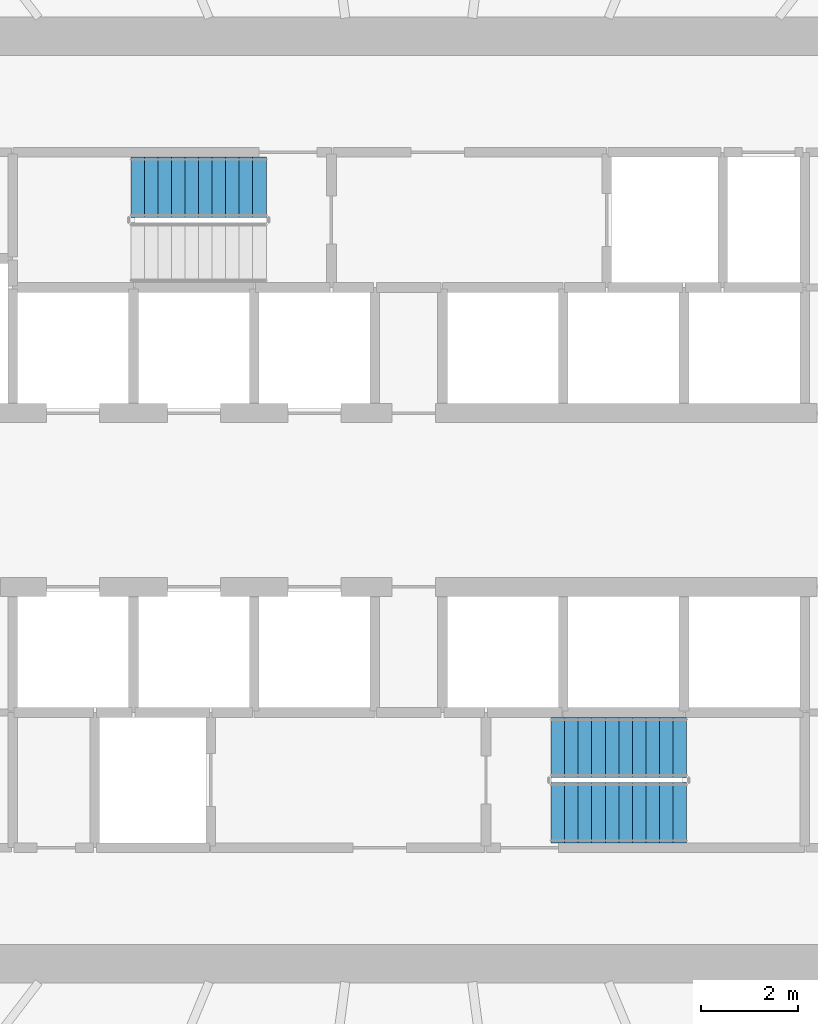
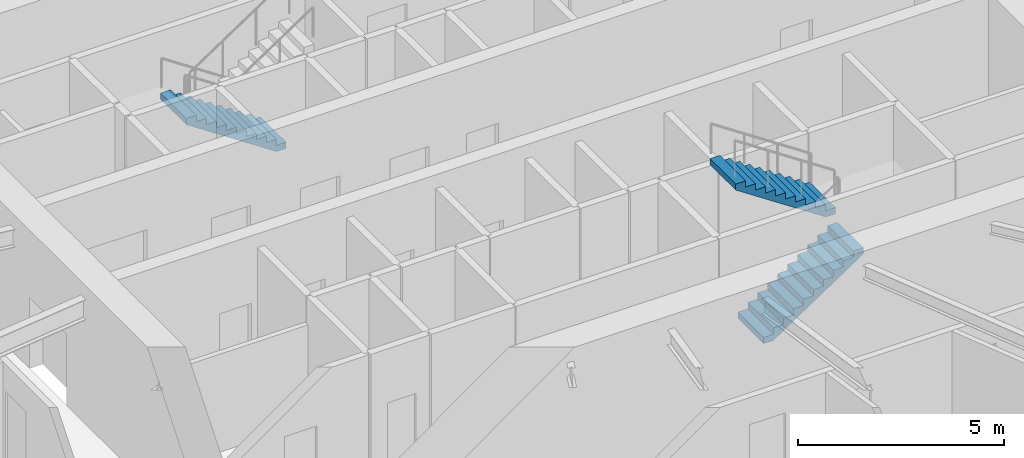
# One storey, part 14 of 17: 3 stair flights, 2 elements without a shape of their own.
"""IFC4 building model written with IfcOpenShell, lengths in metres."""

from ifc_helpers import new_model, si_unit, direction, frame, origin, place, context, subcontext, project, spatial, line, indexed_curve, outline, extrude, material, type_object, element, aggregate, save


model = new_model("IFC4")

# Units and contexts
model_context = context("Model", 3, precision=1e-05, world=origin(), true_north=direction((0.0, 1.0)))
body_context = subcontext(model_context, "Body", "Model", "MODEL_VIEW")
ifc_project = project(units=[si_unit("LENGTHUNIT", "METRE"), si_unit("AREAUNIT", "SQUARE_METRE"), si_unit("VOLUMEUNIT", "CUBIC_METRE"), si_unit("PLANEANGLEUNIT", "RADIAN"), si_unit("MASSUNIT", "GRAM", prefix="KILO")], contexts=[model_context])

# Site, building, storey
site_placement = place(None, origin())
site = spatial("IfcSite", under=ifc_project, at=site_placement, CompositionType="ELEMENT")
building_placement = place(site_placement, origin())
building = spatial("IfcBuilding", under=site, at=building_placement, Name="Spindrift Exchange Tower", CompositionType="ELEMENT")
storey_placement = place(building_placement, frame((0.0, 0.0, 104.39990234375)))
storey = spatial("IfcBuildingStorey", under=building, at=storey_placement, Name="L24", CompositionType="ELEMENT", Elevation=104.39990234375)

# Stair, stair flight
ifc_material = material(Name="Concrete 50 MPa", Category="concrete")
stair_type = type_object("IfcStairType", Name="ST-1250-R186", PredefinedType="HALF_TURN_STAIR", material=ifc_material)
stair_1_placement = place(storey_placement, origin())
stair_1 = element("IfcStair", 1, at=stair_1_placement, inside=storey, type_object=stair_type, Name="L24 Exit stair ST1", PredefinedType="HALF_TURN_STAIR")
stair_flight_type = type_object("IfcStairFlightType", Name="STF-1250-R186", PredefinedType="STRAIGHT", material=ifc_material)
stair_flight_1_placement = place(storey_placement, frame((49.050048828125, 54.47509765625, 0.0), z_axis=(0.0, 0.0, 1.0), x_axis=(-1.0, 0.0, 0.0)))
stair_flight_1 = element("IfcStairFlight", 2, at=stair_flight_1_placement, type_object=stair_flight_type, Name="ST1 flight 1", NumberOfRisers=11, NumberOfTreads=10, PredefinedType="STRAIGHT", RiserHeight=0.186363636, TreadLength=0.28, context=body_context, shape_type="SweptSolid", body=[
    extrude(outline(indexed_curve([(0.0, 0.0), (0.0, 0.1865234375), (0.2802734375, 0.1865234375), (0.2802734375, 0.373046875), (0.5595703125, 0.373046875), (0.5595703125, 0.5595703125), (0.83984375, 0.5595703125), (0.83984375, 0.7451171875), (1.1201171875, 0.7451171875), (1.1201171875, 0.931640625), (1.400390625, 0.931640625), (1.400390625, 1.1181640625), (1.6796875, 1.1181640625), (1.6796875, 1.3046875), (1.9599609375, 1.3046875), (1.9599609375, 1.4912109375), (2.240234375, 1.4912109375), (2.240234375, 1.677734375), (2.51953125, 1.677734375), (2.51953125, 1.86328125), (2.7998046875, 1.86328125), (2.7998046875, 2.0498046875), (2.7998046875, 1.68359375), (0.2705078125, 0.0)], segments=[line(1, 2, 3, 4, 5, 6, 7, 8, 9, 10, 11, 12, 13, 14, 15, 16, 17, 18, 19, 20, 21, 22, 23, 24, 1)], self_intersect=False)), frame((0.0, 0.625, 0.0), z_axis=(0.0, -1.0, 0.0), x_axis=(1.0, 0.0, 0.0)), (0.0, 0.0, 1.0), 1.25),
])
aggregate(stair_1, [stair_flight_1])

# Stair, stair flights
stair_2_placement = place(storey_placement, origin())
stair_2 = element("IfcStair", 3, at=stair_2_placement, inside=storey, type_object=stair_type, Name="L24 Exit stair ST2", PredefinedType="HALF_TURN_STAIR")
stair_flight_2_placement = place(storey_placement, frame((54.949951171875, 41.52490234375, 0.0), z_axis=(0.0, 0.0, 1.0), x_axis=(1.0, 0.0, 0.0)))
stair_flight_2 = element("IfcStairFlight", 4, at=stair_flight_2_placement, type_object=stair_flight_type, Name="ST2 flight 1", NumberOfRisers=11, NumberOfTreads=10, PredefinedType="STRAIGHT", RiserHeight=0.186363636, TreadLength=0.28, context=body_context, shape_type="SweptSolid", body=[
    extrude(outline(indexed_curve([(0.0, 0.0), (0.0, 0.1865234375), (0.2802734375, 0.1865234375), (0.2802734375, 0.373046875), (0.5595703125, 0.373046875), (0.5595703125, 0.5595703125), (0.83984375, 0.5595703125), (0.83984375, 0.7451171875), (1.1201171875, 0.7451171875), (1.1201171875, 0.931640625), (1.400390625, 0.931640625), (1.400390625, 1.1181640625), (1.6796875, 1.1181640625), (1.6796875, 1.3046875), (1.9599609375, 1.3046875), (1.9599609375, 1.4912109375), (2.240234375, 1.4912109375), (2.240234375, 1.677734375), (2.51953125, 1.677734375), (2.51953125, 1.86328125), (2.7998046875, 1.86328125), (2.7998046875, 2.0498046875), (2.7998046875, 1.68359375), (0.2705078125, 0.0)], segments=[line(1, 2, 3, 4, 5, 6, 7, 8, 9, 10, 11, 12, 13, 14, 15, 16, 17, 18, 19, 20, 21, 22, 23, 24, 1)], self_intersect=False)), frame((0.0, 0.625, 0.0), z_axis=(0.0, -1.0, 0.0), x_axis=(1.0, 0.0, 0.0)), (0.0, 0.0, 1.0), 1.25),
])
stair_flight_3_placement = place(storey_placement, frame((57.75, 42.875, 2.050048828125), z_axis=(0.0, 0.0, 1.0), x_axis=(-1.0, 0.0, 0.0)))
stair_flight_3 = element("IfcStairFlight", 5, at=stair_flight_3_placement, type_object=stair_flight_type, Name="ST2 flight 2", NumberOfRisers=11, NumberOfTreads=10, PredefinedType="STRAIGHT", RiserHeight=0.186363636, TreadLength=0.28, context=body_context, shape_type="SweptSolid", body=[
    extrude(outline(indexed_curve([(0.0, 0.0), (0.0, 0.1865234375), (0.2802734375, 0.1865234375), (0.2802734375, 0.373046875), (0.5595703125, 0.373046875), (0.5595703125, 0.5595703125), (0.83984375, 0.5595703125), (0.83984375, 0.7451171875), (1.1201171875, 0.7451171875), (1.1201171875, 0.931640625), (1.400390625, 0.931640625), (1.400390625, 1.1181640625), (1.6796875, 1.1181640625), (1.6796875, 1.3046875), (1.9599609375, 1.3046875), (1.9599609375, 1.4912109375), (2.240234375, 1.4912109375), (2.240234375, 1.677734375), (2.51953125, 1.677734375), (2.51953125, 1.86328125), (2.7998046875, 1.86328125), (2.7998046875, 2.0498046875), (2.7998046875, 1.68359375), (0.2705078125, 0.0)], segments=[line(1, 2, 3, 4, 5, 6, 7, 8, 9, 10, 11, 12, 13, 14, 15, 16, 17, 18, 19, 20, 21, 22, 23, 24, 1)], self_intersect=False)), frame((0.0, 0.625, 0.0), z_axis=(0.0, -1.0, 0.0), x_axis=(1.0, 0.0, 0.0)), (0.0, 0.0, 1.0), 1.25),
])
aggregate(stair_2, [stair_flight_2, stair_flight_3])

save(model, "model.ifc")
